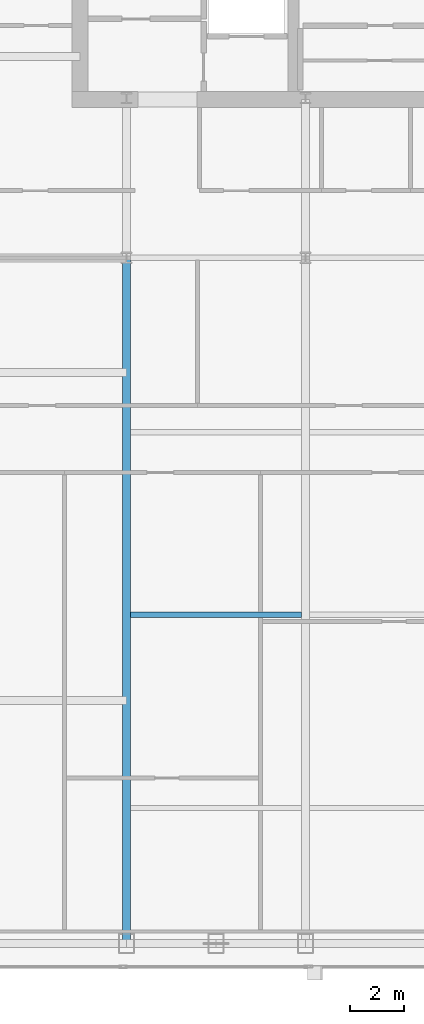
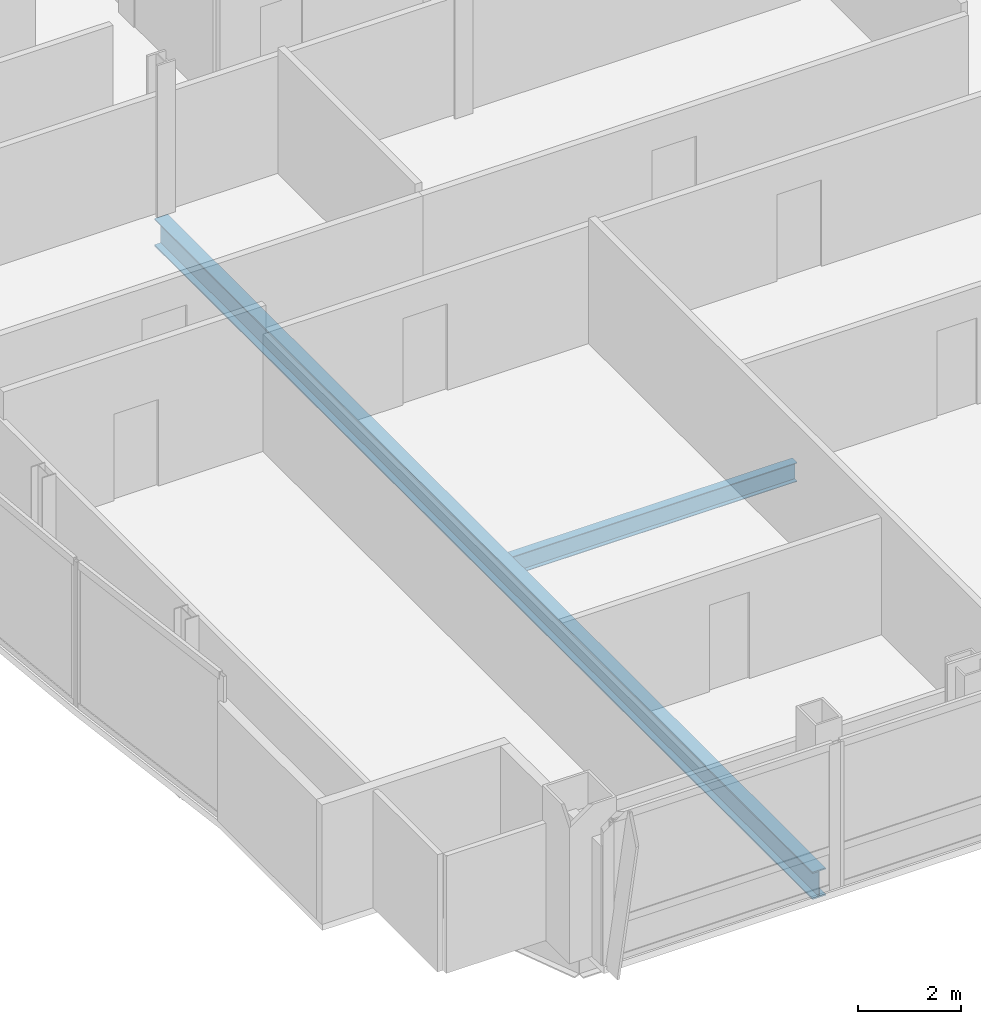
# One storey, part 7 of 29: 2 beams.
"""IFC4 building model written with IfcOpenShell, lengths in metres."""

from ifc_helpers import new_model, si_unit, direction, frame, origin, origin_2d, place, context, subcontext, project, spatial, i_section, extrude, material, material_profile, profile_set, type_object, element, save


model = new_model("IFC4")

# Units and contexts
model_context = context("Model", 3, precision=1e-05, world=origin(), true_north=direction((0.0, 1.0)))
body_context = subcontext(model_context, "Body", "Model", "MODEL_VIEW")
ifc_project = project(units=[si_unit("LENGTHUNIT", "METRE"), si_unit("AREAUNIT", "SQUARE_METRE"), si_unit("VOLUMEUNIT", "CUBIC_METRE"), si_unit("PLANEANGLEUNIT", "RADIAN"), si_unit("MASSUNIT", "GRAM", prefix="KILO")], contexts=[model_context])

# Site, building, storey
site_placement = place(None, origin())
site = spatial("IfcSite", under=ifc_project, at=site_placement, CompositionType="ELEMENT")
building_placement = place(site_placement, origin())
building = spatial("IfcBuilding", under=site, at=building_placement, Name="Khoronbel Lancet Exchange", CompositionType="ELEMENT")
storey_placement = place(building_placement, frame((0.0, 0.0, 246.199951171875)))
storey = spatial("IfcBuildingStorey", under=building, at=storey_placement, Name="L63", CompositionType="ELEMENT", Elevation=246.199951171875)

# Beams
ifc_material = material(Name="Steel S355", Category="steel")
ifc_material_profile_1 = material_profile(ifc_material, i_section(OverallWidth=0.300048828125, OverallDepth=0.64990234375, WebThickness=0.01611328125, FlangeThickness=0.031005859375, at=origin_2d()), Name="HEB 650")
ifc_profile_set_1 = profile_set([ifc_material_profile_1], Name="Steel S355")
beam_type_1 = type_object("IfcBeamType", Name="BM-BG4", PredefinedType="BEAM", material=ifc_profile_set_1)
beam_1_placement = place(storey_placement, frame((18.22509765625, 10.14990234375, -0.48486328125), z_axis=(0.0, 1.0, 0.0), x_axis=(-1.0, 0.0, 0.0)))
element("IfcBeam", 1, at=beam_1_placement, inside=storey, type_object=beam_type_1, Name="Level L63 south primary girder GS1", PredefinedType="BEAM", context=body_context, shape_type="SweptSolid", body=[
    extrude(i_section(OverallWidth=0.300048828125, OverallDepth=0.64990234375, WebThickness=0.01611328125, FlangeThickness=0.031005859375, at=origin_2d()), origin(), (0.0, 0.0, 1.0), 25.550048828125),
])
ifc_material_profile_2 = material_profile(ifc_material, i_section(OverallWidth=0.18994140625, OverallDepth=0.449951171875, WebThickness=0.009521484375, FlangeThickness=0.0146484375, at=origin_2d()), Name="IPE 450")
ifc_profile_set_2 = profile_set([ifc_material_profile_2], Name="Steel S355")
beam_type_2 = type_object("IfcBeamType", Name="BM-BJ4", PredefinedType="JOIST", material=ifc_profile_set_2)
beam_2_placement = place(storey_placement, frame((18.375, 22.39990234375, -0.385009765625), z_axis=(1.0, 0.0, 0.0), x_axis=(0.0, 1.0, 0.0)))
element("IfcBeam", 2, at=beam_2_placement, inside=storey, type_object=beam_type_2, Name="Level L63 secondary composite joist J06", PredefinedType="JOIST", context=body_context, shape_type="SweptSolid", body=[
    extrude(i_section(OverallWidth=0.18994140625, OverallDepth=0.449951171875, WebThickness=0.009521484375, FlangeThickness=0.0146484375, at=origin_2d()), origin(), (0.0, 0.0, 1.0), 6.375),
])

save(model, "model.ifc")
